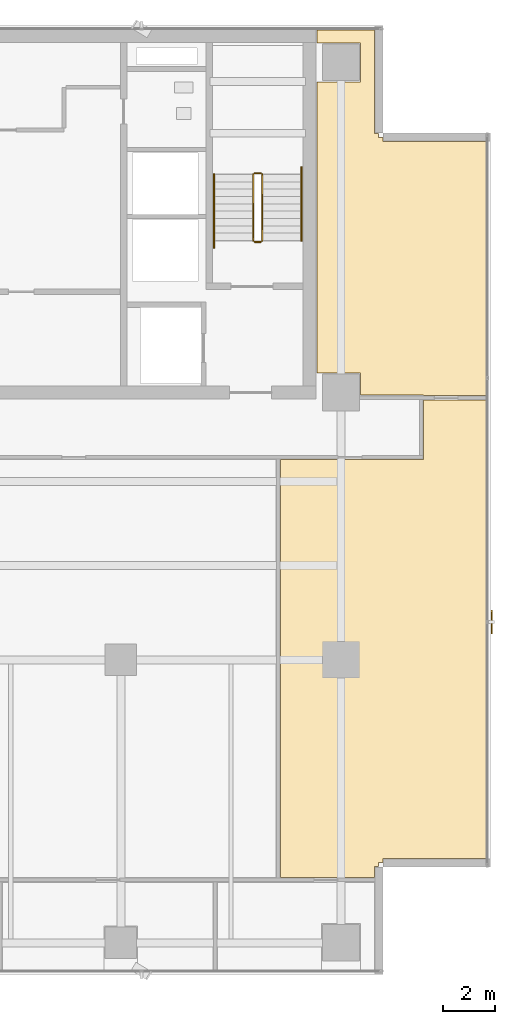
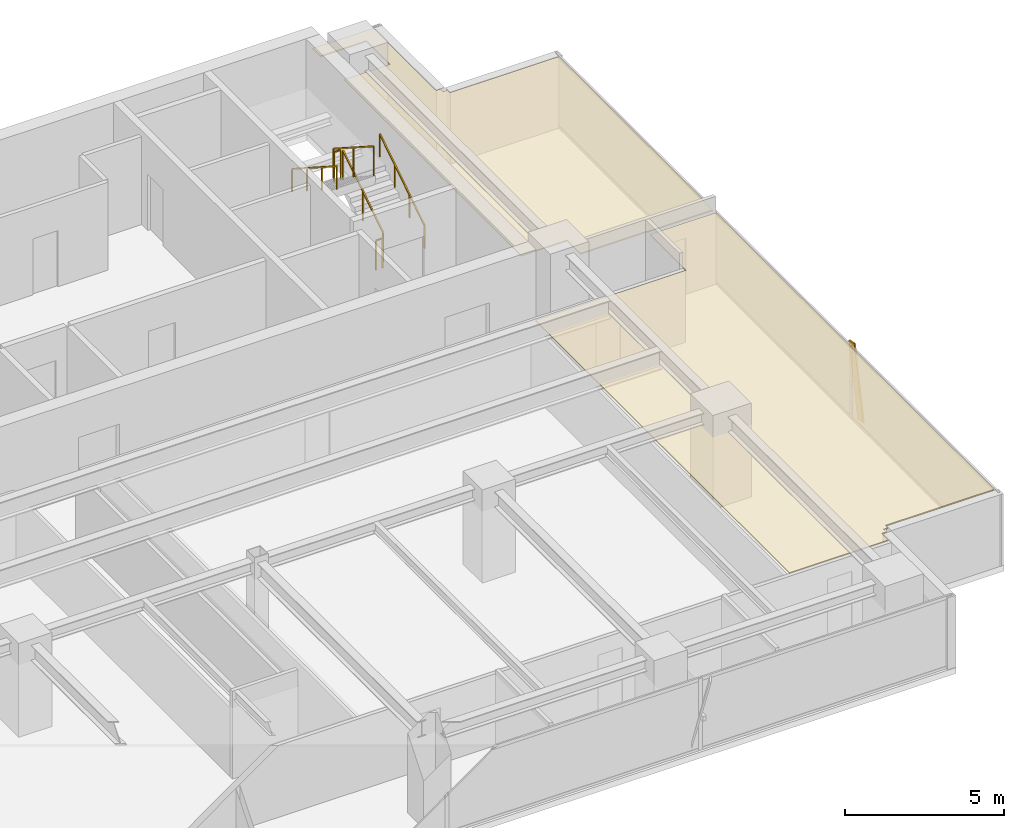
# One storey, part 24 of 26: 6 railings, 2 coverings, 1 shading device.
"""IFC4 building model written with IfcOpenShell, lengths in metres."""

from ifc_helpers import new_model, si_unit, direction, frame, origin, origin_2d, place, context, subcontext, project, spatial, polyline, rectangle, outline, extrude, source, transform, mapped, material, layer, layer_set, material_profile, profile_set, type_object, element, save


model = new_model("IFC4")

# Units and contexts
model_context = context("Model", 3, precision=1e-05, world=origin(), true_north=direction((0.0, 1.0)))
body_context = subcontext(model_context, "Body", "Model", "MODEL_VIEW")
ifc_project = project(units=[si_unit("LENGTHUNIT", "METRE"), si_unit("AREAUNIT", "SQUARE_METRE"), si_unit("VOLUMEUNIT", "CUBIC_METRE"), si_unit("PLANEANGLEUNIT", "RADIAN"), si_unit("MASSUNIT", "GRAM", prefix="KILO")], contexts=[model_context])

# Site, building, storey
site_placement = place(None, origin())
site = spatial("IfcSite", under=ifc_project, at=site_placement, CompositionType="ELEMENT")
building_placement = place(site_placement, origin())
building = spatial("IfcBuilding", under=site, at=building_placement, Name="Sumidabori Civic Tower", CompositionType="ELEMENT")
storey_placement = place(building_placement, frame((0.0, 0.0, 236.0)))
storey = spatial("IfcBuildingStorey", under=building, at=storey_placement, Name="L61", CompositionType="ELEMENT", Elevation=236.0)

# Coverings
ifc_material_1 = material(Name="Perforated Timber Acoustic Ceiling", Category="wood")
ifc_layer = layer(ifc_material_1, 0.044921875, Name="Perforated Timber Acoustic Ceiling")
ifc_layer_set = layer_set([ifc_layer], Name="Perforated Timber Acoustic Ceiling")
covering_type = type_object("IfcCoveringType", Name="CV-CEIL-AC2", PredefinedType="CEILING", material=ifc_layer_set)
covering_1_placement = place(storey_placement, frame((0.0, 0.0, 2.719970703125)))
element("IfcCovering", 1, at=covering_1_placement, inside=storey, type_object=covering_type, Name="Room Acoustic Ceiling L61-02", PredefinedType="CEILING", context=body_context, shape_type="SweptSolid", body=[
    extrude(outline(polyline([(17.5400390625, 22.06005859375), (17.5400390625, 23.5400390625), (15.8779296875, 23.5400390625), (15.8779296875, 24.030029296875), (18.072021484375, 24.030029296875), (18.072021484375, 20.092041015625), (18.22998046875, 20.092041015625), (18.22998046875, 19.929931640625), (18.39208984375, 19.929931640625), (18.39208984375, 19.77197265625), (22.330078125, 19.77197265625), (22.330078125, 10.08740234375), (19.955078125, 10.08740234375), (19.955078125, 10.10498046875), (17.5400390625, 10.10498046875), (17.5400390625, 10.93994140625), (15.8779296875, 10.93994140625), (15.8779296875, 22.06005859375), (17.5400390625, 22.06005859375)])), origin(), (0.0, 0.0, 1.0), 0.044921875),
])
covering_2_placement = place(storey_placement, frame((0.0, 0.0, 2.719970703125)))
element("IfcCovering", 2, at=covering_2_placement, inside=storey, type_object=covering_type, Name="Room Acoustic Ceiling L61-04", PredefinedType="CEILING", context=body_context, shape_type="SweptSolid", body=[
    extrude(outline(polyline([(18.072021484375, -8.3125), (14.487548828125, -8.3125), (14.487548828125, 7.64501953125), (19.955078125, 7.64501953125), (19.955078125, 9.91259765625), (22.330078125, 9.91259765625), (22.330078125, -7.572021484375), (18.39208984375, -7.572021484375), (18.39208984375, -7.72998046875), (18.22998046875, -7.72998046875), (18.22998046875, -7.89208984375), (18.072021484375, -7.89208984375), (18.072021484375, -8.3125)])), origin(), (0.0, 0.0, 1.0), 0.044921875),
])

# Railings
ifc_material_2 = material(Name="Stainless Steel Hairline Finish", Category="steel")
railing_type_1 = type_object("IfcRailingType", Name="RL-HANDRAIL", PredefinedType="HANDRAIL", material=ifc_material_2)
railing_1_placement = place(storey_placement, frame((15.2900390625, 16.0, 0.179931640625)))
element("IfcRailing", 3, at=railing_1_placement, inside=storey, type_object=railing_type_1, Name="L61 ST-2 stair handrail 1", PredefinedType="HANDRAIL", context=body_context, shape_type="SweptSolid", body=[
    extrude(rectangle(XDim=0.048095703125, YDim=0.048095703125, at=origin_2d()), frame((0.0, 0.0, 0.8759765625), z_axis=(0.0, 0.84064222762, 0.54159084662), x_axis=(-1.0, 0.0, 0.0)), (0.0, 0.0, 1.0), 3.330810546875),
    extrude(rectangle(XDim=0.0419921875, YDim=0.0419921875, at=origin_2d()), origin(), (0.0, 0.0, 1.0), 0.851806640625),
    extrude(rectangle(XDim=0.0419921875, YDim=0.0419921875, at=origin_2d()), frame((0.0, 0.933349609375, 0.601318359375)), (0.0, 0.0, 1.0), 0.851806640625),
    extrude(rectangle(XDim=0.0419921875, YDim=0.0419921875, at=origin_2d()), frame((0.0, 1.86669921875, 1.20263671875)), (0.0, 0.0, 1.0), 0.851806640625),
    extrude(rectangle(XDim=0.0419921875, YDim=0.0419921875, at=origin_2d()), frame((0.0, 2.800048828125, 1.803955078125)), (0.0, 0.0, 1.0), 0.851806640625),
])
railing_2_placement = place(storey_placement, frame((11.949951171875, 18.52001953125, 1.97998046875)))
element("IfcRailing", 4, at=railing_2_placement, inside=storey, type_object=railing_type_1, Name="L61 ST-2 stair handrail 2", PredefinedType="HANDRAIL", context=body_context, shape_type="SweptSolid", body=[
    extrude(rectangle(XDim=0.048095703125, YDim=0.048095703125, at=origin_2d()), frame((0.0, 0.0, 0.8759765625), z_axis=(0.0, -0.840675598268, 0.541539046124), x_axis=(1.0, 0.0, 0.0)), (0.0, 0.0, 1.0), 3.330810546875),
    extrude(rectangle(XDim=0.0419921875, YDim=0.0419921875, at=origin_2d()), origin(), (0.0, 0.0, 1.0), 0.851806640625),
    extrude(rectangle(XDim=0.0419921875, YDim=0.0419921875, at=origin_2d()), frame((0.0, -0.933349609375, 0.601318359375)), (0.0, 0.0, 1.0), 0.851806640625),
    extrude(rectangle(XDim=0.0419921875, YDim=0.0419921875, at=origin_2d()), frame((0.0, -1.86669921875, 1.202392578125)), (0.0, 0.0, 1.0), 0.851806640625),
    extrude(rectangle(XDim=0.0419921875, YDim=0.0419921875, at=origin_2d()), frame((0.0, -2.800048828125, 1.8037109375)), (0.0, 0.0, 1.0), 0.851806640625),
])
ifc_material_3 = material(Name="Steel SN490", Category="steel")
railing_type_2 = type_object("IfcRailingType", Name="RL-STAIR-GUARD", PredefinedType="GUARDRAIL", material=ifc_material_3)
railing_3_placement = place(storey_placement, frame((13.7900390625, 16.0, 0.179931640625)))
element("IfcRailing", 5, at=railing_3_placement, inside=storey, type_object=railing_type_2, Name="L61 ST-2 stair guard 1", PredefinedType="GUARDRAIL", context=body_context, shape_type="SweptSolid", body=[
    extrude(rectangle(XDim=0.048095703125, YDim=0.048095703125, at=origin_2d()), frame((0.0, 0.0, 1.1259765625), z_axis=(0.0, 0.841162588446, 0.540782303519), x_axis=(-1.0, 0.0, 0.0)), (0.0, 0.0, 1.0), 2.995849609375),
    extrude(rectangle(XDim=0.0419921875, YDim=0.0419921875, at=origin_2d()), origin(), (0.0, 0.0, 1.0), 1.101806640625),
    extrude(rectangle(XDim=0.0419921875, YDim=0.0419921875, at=origin_2d()), frame((0.0, 1.260009765625, 0.81005859375)), (0.0, 0.0, 1.0), 1.101806640625),
    extrude(rectangle(XDim=0.0419921875, YDim=0.0419921875, at=origin_2d()), frame((0.0, 2.52001953125, 1.6201171875)), (0.0, 0.0, 1.0), 1.101806640625),
])
railing_4_placement = place(storey_placement, frame((13.739990234375, 18.570068359375, 1.800048828125)))
element("IfcRailing", 6, at=railing_4_placement, inside=storey, type_object=railing_type_2, Name="L61 ST-2 stair guard 2", PredefinedType="GUARDRAIL", context=body_context, shape_type="SweptSolid", body=[
    extrude(rectangle(XDim=0.048095703125, YDim=0.048095703125, at=origin_2d()), frame((0.0, 0.0, 1.1259765625), z_axis=(-1.0, 0.0, 0.0), x_axis=(0.0, -1.0, 0.0)), (0.0, 0.0, 1.0), 0.239990234375),
    extrude(rectangle(XDim=0.0419921875, YDim=0.0419921875, at=origin_2d()), origin(), (0.0, 0.0, 1.0), 1.101806640625),
    extrude(rectangle(XDim=0.0419921875, YDim=0.0419921875, at=origin_2d()), frame((-0.239990234375, 0.0, 0.0)), (0.0, 0.0, 1.0), 1.101806640625),
])
railing_5_placement = place(storey_placement, frame((13.449951171875, 18.52001953125, 1.97998046875)))
element("IfcRailing", 7, at=railing_5_placement, inside=storey, type_object=railing_type_2, Name="L61 ST-2 stair guard 3", PredefinedType="GUARDRAIL", context=body_context, shape_type="SweptSolid", body=[
    extrude(rectangle(XDim=0.048095703125, YDim=0.048095703125, at=origin_2d()), frame((0.0, 0.0, 1.1259765625), z_axis=(0.0, -0.841162588446, 0.540782303519), x_axis=(1.0, 0.0, 0.0)), (0.0, 0.0, 1.0), 2.995849609375),
    extrude(rectangle(XDim=0.0419921875, YDim=0.0419921875, at=origin_2d()), origin(), (0.0, 0.0, 1.0), 1.101806640625),
    extrude(rectangle(XDim=0.0419921875, YDim=0.0419921875, at=origin_2d()), frame((0.0, -1.260009765625, 0.81005859375)), (0.0, 0.0, 1.0), 1.101806640625),
    extrude(rectangle(XDim=0.0419921875, YDim=0.0419921875, at=origin_2d()), frame((0.0, -2.52001953125, 1.6201171875)), (0.0, 0.0, 1.0), 1.101806640625),
])
railing_6_placement = place(storey_placement, frame((13.739990234375, 15.949951171875, 0.0)))
element("IfcRailing", 8, at=railing_6_placement, inside=storey, type_object=railing_type_2, Name="L61 ST-2 stair guard 4", PredefinedType="GUARDRAIL", context=body_context, shape_type="SweptSolid", body=[
    extrude(rectangle(XDim=0.048095703125, YDim=0.048095703125, at=origin_2d()), frame((0.0, 0.0, 1.1259765625), z_axis=(-1.0, 0.0, 0.0), x_axis=(0.0, -1.0, 0.0)), (0.0, 0.0, 1.0), 0.239990234375),
    extrude(rectangle(XDim=0.0419921875, YDim=0.0419921875, at=origin_2d()), origin(), (0.0, 0.0, 1.0), 1.101806640625),
    extrude(rectangle(XDim=0.0419921875, YDim=0.0419921875, at=origin_2d()), frame((-0.239990234375, 0.0, 0.0)), (0.0, 0.0, 1.0), 1.101806640625),
])

# Shading device
ifc_material_4 = material(Name="Anodised Bronze Aluminium AW-6063-T6", Category="aluminium")
ifc_material_profile = material_profile(ifc_material_4, rectangle(XDim=0.054931640625, YDim=0.360107421875, at=origin_2d()), Name="BRONZE FIN 360x55")
ifc_profile_set = profile_set([ifc_material_profile], Name="Anodised Bronze Aluminium AW-6063-T6")
shading_device_type = type_object("IfcShadingDeviceType", Name="SH-FIN-360", PredefinedType="USERDEFINED", material=ifc_profile_set)
shared_shape = source(origin(), body_context, "Body", "SweptSolid", [
    extrude(rectangle(XDim=0.054931640625, YDim=0.360107421875, at=origin_2d()), origin(), (0.0, 0.0, 1.0), 2.74755859375),
])
shading_device_placement = place(storey_placement, frame((22.550048828125, 1.163330078125, 0.02001953125), z_axis=(0.0, 0.20383361069, 0.979005546028), x_axis=(-1.0, 0.0, 0.0)))
element("IfcShadingDevice", 9, at=shading_device_placement, inside=storey, type_object=shading_device_type, Name="Bronze Anodised Diagonal Fin L61-01", ObjectType="FIN", PredefinedType="USERDEFINED", context=body_context, shape_type="MappedRepresentation", body=[
    mapped(shared_shape, transform((0.0, 0.0, 0.0), x_axis=(1.0, 0.0, 0.0), y_axis=(0.0, 1.0, 0.0), z_axis=(0.0, 0.0, 1.0), scale=1.0)),
])

save(model, "model.ifc")
